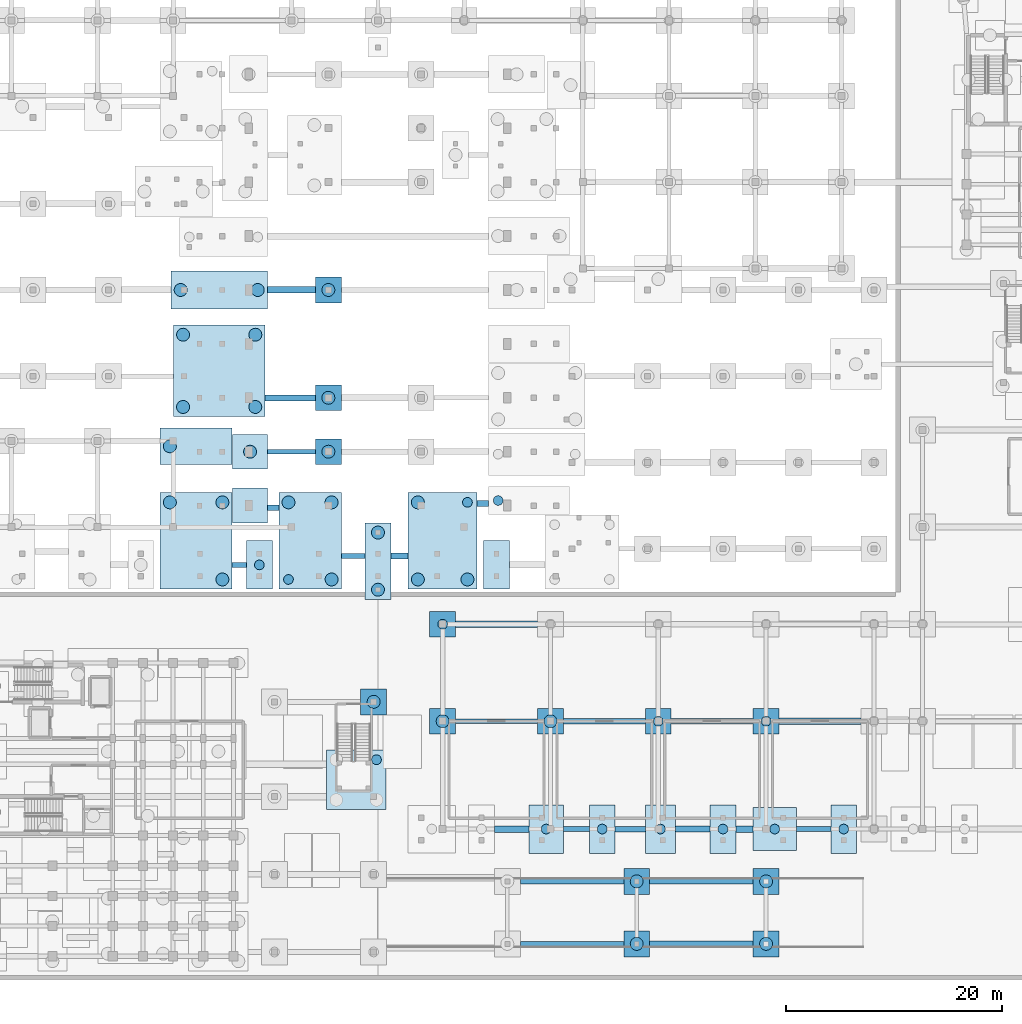
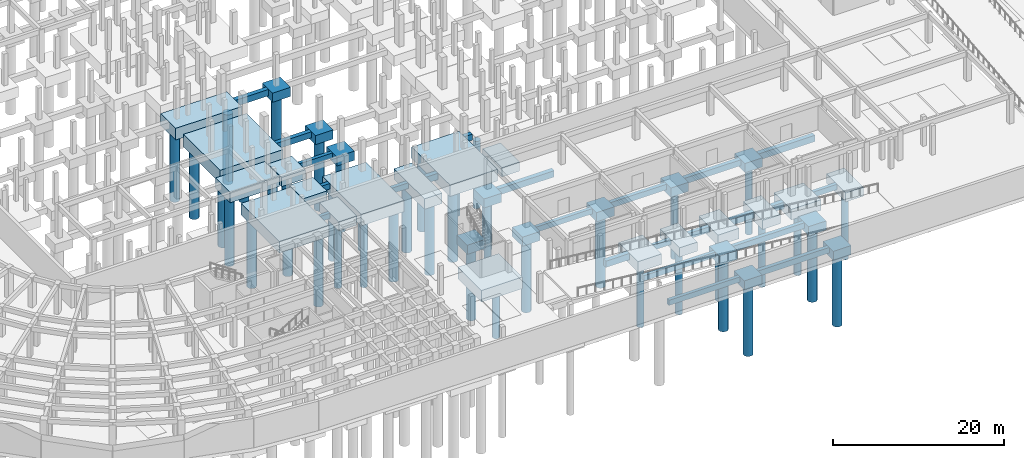
# One storey, part 4 of 53: 54 footings, 43 piles.
"""IFC4 building model written with IfcOpenShell, lengths in metres."""

from ifc_helpers import new_model, si_unit, direction, frame, origin, origin_2d, place, context, subcontext, project, spatial, rectangle, circle, extrude, material, material_profile, profile_set, type_object, element, save


model = new_model("IFC4")

# Units and contexts
model_context = context("Model", 3, precision=1e-05, world=origin(), true_north=direction((0.0, 1.0)))
body_context = subcontext(model_context, "Body", "Model", "MODEL_VIEW")
ifc_project = project(units=[si_unit("LENGTHUNIT", "METRE"), si_unit("AREAUNIT", "SQUARE_METRE"), si_unit("VOLUMEUNIT", "CUBIC_METRE"), si_unit("PLANEANGLEUNIT", "RADIAN"), si_unit("MASSUNIT", "GRAM", prefix="KILO")], contexts=[model_context])

# Site, building, storey
site_placement = place(None, origin())
site = spatial("IfcSite", under=ifc_project, at=site_placement, CompositionType="ELEMENT")
building_placement = place(site_placement, origin())
building = spatial("IfcBuilding", under=site, at=building_placement, Name="Kiranvali Square Residences", CompositionType="ELEMENT")
storey_placement = place(building_placement, frame((0.0, 0.0, -4.5)))
storey = spatial("IfcBuildingStorey", under=building, at=storey_placement, Name="B1", CompositionType="ELEMENT", Elevation=-4.5)

# Footings
ifc_material = material(Name="Concrete M40 (40 MPa)", Category="concrete")
footing_type_1 = type_object("IfcFootingType", Name="FTG-PILE_CAP-240x240x130", PredefinedType="PILE_CAP", material=ifc_material)
for number, where, z_axis, x_axis, name in (
    (1, (108.0, 3.35009765625, -1.7998046875), (0.0, 0.0, 1.0), (1.0, 0.0, 0.0), "B1 pile cap 009"),
    (2, (120.0, 3.35009765625, -1.7998046875), (0.0, 0.0, 1.0), (1.0, 0.0, 0.0), "B1 pile cap 010"),
    (3, (108.0, 9.14990234375, -1.7998046875), (0.0, 0.0, 1.0), (1.0, 0.0, 0.0), "B1 pile cap 018"),
    (4, (120.0, 9.14990234375, -1.7998046875), (0.0, 0.0, 1.0), (1.0, 0.0, 0.0), "B1 pile cap 019"),
    (5, (90.0, 24.0, -1.7998046875), (0.0, 0.0, 1.0), (1.0, 0.0, 0.0), "B1 pile cap 053"),
    (6, (100.0, 24.0, -1.7998046875), (0.0, 0.0, 1.0), (1.0, 0.0, 0.0), "B1 pile cap 054"),
    (7, (110.0, 24.0, -1.7998046875), (0.0, 0.0, 1.0), (1.0, 0.0, 0.0), "B1 pile cap 055"),
    (8, (120.0, 24.0, -1.7998046875), (0.0, 0.0, 1.0), (1.0, 0.0, 0.0), "B1 pile cap 056"),
    (9, (83.60009765625, 25.800048828125, -1.7998046875), (0.0, 0.0, 1.0), (1.0, 0.0, 0.0), "B1 pile cap 063"),
    (10, (90.0, 33.0, -1.7998046875), (0.0, 0.0, 1.0), (1.0, 0.0, 0.0), "B1 pile cap 075"),
    (11, (79.39990234375, 49.0, -1.7998046875), (0.0, 0.0, 1.0), (1.0, 0.0, 0.0), "B1 pile cap 120"),
    (12, (79.39990234375, 54.0, -1.7998046875), (0.0, 0.0, 1.0), (1.0, 0.0, 0.0), "B1 pile cap 134"),
    (13, (79.39990234375, 64.0, -1.7998046875), (0.0, 0.0, 1.0), (1.0, 0.0, 0.0), "B1 pile cap 159"),
):
    element("IfcFooting", number, at=place(storey_placement, frame(where, z_axis=z_axis, x_axis=x_axis)), inside=storey, type_object=footing_type_1, Name=name, PredefinedType="PILE_CAP", context=body_context, shape_type="SweptSolid", body=[
        extrude(rectangle(XDim=2.39990234375, YDim=2.39990234375, at=origin_2d()), origin(), (0.0, 0.0, 1.0), 1.300048828125),
    ])
footing_type_2 = type_object("IfcFootingType", Name="FTG-PILE_CAP-322x322x130", PredefinedType="PILE_CAP", material=ifc_material)
for number, where, z_axis, x_axis, name in (
    (14, (72.139892578125, 44.0, -1.7998046875), (0.0, 0.0, 1.0), (1.0, 0.0, 0.0), "B1 pile cap 106"),
    (15, (72.139892578125, 49.0, -1.7998046875), (0.0, 0.0, 1.0), (1.0, 0.0, 0.0), "B1 pile cap 118"),
):
    element("IfcFooting", number, at=place(storey_placement, frame(where, z_axis=z_axis, x_axis=x_axis)), inside=storey, type_object=footing_type_2, Name=name, PredefinedType="PILE_CAP", context=body_context, shape_type="SweptSolid", body=[
        extrude(rectangle(XDim=3.219970703125, YDim=3.219970703125, at=origin_2d()), origin(), (0.0, 0.0, 1.0), 1.300048828125),
    ])
footing_type_3 = type_object("IfcFootingType", Name="FTG-PILE_CAP-400x400x150", PredefinedType="PILE_CAP", material=ifc_material)
footing_1_placement = place(storey_placement, frame((120.800048828125, 14.0, -2.0), z_axis=(0.0, 0.0, 1.0), x_axis=(1.0, 0.0, 0.0)))
element("IfcFooting", 16, at=footing_1_placement, inside=storey, type_object=footing_type_3, Name="B1 pile cap 030", PredefinedType="PILE_CAP", context=body_context, shape_type="SweptSolid", body=[
    extrude(rectangle(XDim=4.0, YDim=4.0, at=origin_2d()), origin(), (0.0, 0.0, 1.0), 1.5),
])
footing_type_4 = type_object("IfcFootingType", Name="FTG-PILE_CAP-450x240x130", PredefinedType="PILE_CAP", material=ifc_material)
for number, where, z_axis, x_axis, name in (
    (17, (104.800048828125, 14.0, -1.7998046875), (0.0, 0.0, 1.0), (0.0, 1.0, 0.0), "B1 pile cap 027"),
    (18, (116.0, 14.0, -1.7998046875), (0.0, 0.0, 1.0), (0.0, 1.0, 0.0), "B1 pile cap 029"),
    (19, (127.199951171875, 14.0, -1.7998046875), (0.0, 0.0, 1.0), (0.0, 1.0, 0.0), "B1 pile cap 031"),
    (20, (73.0, 38.5, -1.7998046875), (0.0, 0.0, 1.0), (0.0, 1.0, 0.0), "B1 pile cap 090"),
    (21, (95.0, 38.5, -1.7998046875), (0.0, 0.0, 1.0), (0.0, 1.0, 0.0), "B1 pile cap 093"),
):
    element("IfcFooting", number, at=place(storey_placement, frame(where, z_axis=z_axis, x_axis=x_axis)), inside=storey, type_object=footing_type_4, Name=name, PredefinedType="PILE_CAP", context=body_context, shape_type="SweptSolid", body=[
        extrude(rectangle(XDim=4.5, YDim=2.39990234375, at=origin_2d()), origin(), (0.0, 0.0, 1.0), 1.300048828125),
    ])
footing_type_5 = type_object("IfcFootingType", Name="FTG-PILE_CAP-450x280x150", PredefinedType="PILE_CAP", material=ifc_material)
footing_2_placement = place(storey_placement, frame((110.199951171875, 14.0, -2.0), z_axis=(0.0, 0.0, 1.0), x_axis=(0.0, 1.0, 0.0)))
element("IfcFooting", 22, at=footing_2_placement, inside=storey, type_object=footing_type_5, Name="B1 pile cap 028", PredefinedType="PILE_CAP", context=body_context, shape_type="SweptSolid", body=[
    extrude(rectangle(XDim=4.5, YDim=2.800048828125, at=origin_2d()), origin(), (0.0, 0.0, 1.0), 1.5),
])
footing_type_6 = type_object("IfcFootingType", Name="FTG-PILE_CAP-450x320x150", PredefinedType="PILE_CAP", material=ifc_material)
footing_3_placement = place(storey_placement, frame((99.60009765625, 14.0, -2.0), z_axis=(0.0, 0.0, 1.0), x_axis=(0.0, 1.0, 0.0)))
element("IfcFooting", 23, at=footing_3_placement, inside=storey, type_object=footing_type_6, Name="B1 pile cap 026", PredefinedType="PILE_CAP", context=body_context, shape_type="SweptSolid", body=[
    extrude(rectangle(XDim=4.5, YDim=3.199951171875, at=origin_2d()), origin(), (0.0, 0.0, 1.0), 1.5),
])
footing_type_7 = type_object("IfcFootingType", Name="FTG-PILE_CAP-553x553x165", PredefinedType="PILE_CAP", material=ifc_material)
footing_4_placement = place(storey_placement, frame((82.0, 18.56494140625, -2.14990234375), z_axis=(0.0, 0.0, 1.0), x_axis=(1.0, 0.0, 0.0)))
element("IfcFooting", 24, at=footing_4_placement, inside=storey, type_object=footing_type_7, Name="B1 pile cap 042", PredefinedType="PILE_CAP", context=body_context, shape_type="SweptSolid", body=[
    extrude(rectangle(XDim=5.530029296875, YDim=5.530029296875, at=origin_2d()), origin(), (0.0, 0.0, 1.0), 1.64990234375),
])
footing_type_8 = type_object("IfcFootingType", Name="FTG-PILE_CAP-667x340x150", PredefinedType="PILE_CAP", material=ifc_material)
footing_5_placement = place(storey_placement, frame((67.135009765625, 49.5, -2.0), z_axis=(0.0, 0.0, 1.0), x_axis=(1.0, 0.0, 0.0)))
element("IfcFooting", 25, at=footing_5_placement, inside=storey, type_object=footing_type_8, Name="B1 pile cap 119", PredefinedType="PILE_CAP", context=body_context, shape_type="SweptSolid", body=[
    extrude(rectangle(XDim=6.669921875, YDim=3.39990234375, at=origin_2d()), origin(), (0.0, 0.0, 1.0), 1.5),
])
footing_type_9 = type_object("IfcFootingType", Name="FTG-PILE_CAP-710x240x150", PredefinedType="PILE_CAP", material=ifc_material)
footing_6_placement = place(storey_placement, frame((84.0, 38.85009765625, -2.0), z_axis=(0.0, 0.0, 1.0), x_axis=(0.0, 1.0, 0.0)))
element("IfcFooting", 26, at=footing_6_placement, inside=storey, type_object=footing_type_9, Name="B1 pile cap 083", PredefinedType="PILE_CAP", context=body_context, shape_type="SweptSolid", body=[
    extrude(rectangle(XDim=7.10009765625, YDim=2.39990234375, at=origin_2d()), origin(), (0.0, 0.0, 1.0), 1.5),
])
footing_type_10 = type_object("IfcFootingType", Name="FTG-PILE_CAP-850x850x180", PredefinedType="PILE_CAP", material=ifc_material)
footing_7_placement = place(storey_placement, frame((69.27490234375, 56.5, -2.2998046875), z_axis=(0.0, 0.0, 1.0), x_axis=(1.0, 0.0, 0.0)))
element("IfcFooting", 27, at=footing_7_placement, inside=storey, type_object=footing_type_10, Name="B1 pile cap 133", PredefinedType="PILE_CAP", context=body_context, shape_type="SweptSolid", body=[
    extrude(rectangle(XDim=8.5, YDim=8.5, at=origin_2d()), origin(), (0.0, 0.0, 1.0), 1.800048828125),
])
footing_type_11 = type_object("IfcFootingType", Name="FTG-PILE_CAP-895x350x165", PredefinedType="PILE_CAP", material=ifc_material)
footing_8_placement = place(storey_placement, frame((69.27490234375, 64.0, -2.14990234375), z_axis=(0.0, 0.0, 1.0), x_axis=(1.0, 0.0, 0.0)))
element("IfcFooting", 28, at=footing_8_placement, inside=storey, type_object=footing_type_11, Name="B1 pile cap 153", PredefinedType="PILE_CAP", context=body_context, shape_type="SweptSolid", body=[
    extrude(rectangle(XDim=8.949951171875, YDim=3.5, at=origin_2d()), origin(), (0.0, 0.0, 1.0), 1.64990234375),
])
footing_type_12 = type_object("IfcFootingType", Name="FTG-PILE_CAP-895x580x165", PredefinedType="PILE_CAP", material=ifc_material)
footing_9_placement = place(storey_placement, frame((77.699951171875, 40.72509765625, -2.14990234375), z_axis=(0.0, 0.0, 1.0), x_axis=(0.0, 1.0, 0.0)))
element("IfcFooting", 29, at=footing_9_placement, inside=storey, type_object=footing_type_12, Name="B1 pile cap 091", PredefinedType="PILE_CAP", context=body_context, shape_type="SweptSolid", body=[
    extrude(rectangle(XDim=8.949951171875, YDim=5.800048828125, at=origin_2d()), origin(), (0.0, 0.0, 1.0), 1.64990234375),
])
footing_type_13 = type_object("IfcFootingType", Name="FTG-PILE_CAP-895x640x165", PredefinedType="PILE_CAP", material=ifc_material)
footing_10_placement = place(storey_placement, frame((90.0, 40.72509765625, -2.14990234375), z_axis=(0.0, 0.0, 1.0), x_axis=(0.0, 1.0, 0.0)))
element("IfcFooting", 30, at=footing_10_placement, inside=storey, type_object=footing_type_13, Name="B1 pile cap 092", PredefinedType="PILE_CAP", context=body_context, shape_type="SweptSolid", body=[
    extrude(rectangle(XDim=8.949951171875, YDim=6.39990234375, at=origin_2d()), origin(), (0.0, 0.0, 1.0), 1.64990234375),
])
footing_type_14 = type_object("IfcFootingType", Name="FTG-PILE_CAP-895x667x165", PredefinedType="PILE_CAP", material=ifc_material)
footing_11_placement = place(storey_placement, frame((67.135009765625, 40.72509765625, -2.14990234375), z_axis=(0.0, 0.0, 1.0), x_axis=(0.0, 1.0, 0.0)))
element("IfcFooting", 31, at=footing_11_placement, inside=storey, type_object=footing_type_14, Name="B1 pile cap 089", PredefinedType="PILE_CAP", context=body_context, shape_type="SweptSolid", body=[
    extrude(rectangle(XDim=8.949951171875, YDim=6.669921875, at=origin_2d()), origin(), (0.0, 0.0, 1.0), 1.64990234375),
])
ifc_material_profile_1 = material_profile(ifc_material, rectangle(XDim=0.449951171875, YDim=0.75, at=origin_2d()), Name="GB 450x750")
ifc_profile_set_1 = profile_set([ifc_material_profile_1], Name="Concrete M40 (40 MPa)")
footing_type_15 = type_object("IfcFootingType", Name="GB-M40-450x750", PredefinedType="FOOTING_BEAM", material=ifc_profile_set_1)
for number, where, z_axis, x_axis, name in (
    (32, (97.199951171875, 3.35009765625, -0.875), (1.0, 0.0, 0.0), (0.0, 1.0, 0.0), "Continuous foundation ground beam GB-008"),
    (33, (97.199951171875, 9.14990234375, -0.875), (1.0, 0.0, 0.0), (0.0, 1.0, 0.0), "Continuous foundation ground beam GB-016"),
):
    element("IfcFooting", number, at=place(storey_placement, frame(where, z_axis=z_axis, x_axis=x_axis)), inside=storey, type_object=footing_type_15, Name=name, PredefinedType="FOOTING_BEAM", context=body_context, shape_type="SweptSolid", body=[
        extrude(rectangle(XDim=0.449951171875, YDim=0.75, at=origin_2d()), origin(), (0.0, 0.0, 1.0), 9.60009765625),
    ])
footing_12_placement = place(storey_placement, frame((101.199951171875, 14.0, -0.875), z_axis=(1.0, 0.0, 0.0), x_axis=(0.0, 1.0, 0.0)))
element("IfcFooting", 34, at=footing_12_placement, inside=storey, type_object=footing_type_15, Name="Continuous foundation ground beam GB-024", PredefinedType="FOOTING_BEAM", context=body_context, shape_type="SweptSolid", body=[
    extrude(rectangle(XDim=0.449951171875, YDim=0.75, at=origin_2d()), origin(), (0.0, 0.0, 1.0), 2.400146484375),
])
footing_13_placement = place(storey_placement, frame((122.800048828125, 14.0, -0.875), z_axis=(1.0, 0.0, 0.0), x_axis=(0.0, 1.0, 0.0)))
element("IfcFooting", 35, at=footing_13_placement, inside=storey, type_object=footing_type_15, Name="Continuous foundation ground beam GB-028", PredefinedType="FOOTING_BEAM", context=body_context, shape_type="SweptSolid", body=[
    extrude(rectangle(XDim=0.449951171875, YDim=0.75, at=origin_2d()), origin(), (0.0, 0.0, 1.0), 3.199951171875),
])
footing_14_placement = place(storey_placement, frame((91.199951171875, 24.0, -0.875), z_axis=(1.0, 0.0, 0.0), x_axis=(0.0, 1.0, 0.0)))
element("IfcFooting", 36, at=footing_14_placement, inside=storey, type_object=footing_type_15, Name="Continuous foundation ground beam GB-044", PredefinedType="FOOTING_BEAM", context=body_context, shape_type="SweptSolid", body=[
    extrude(rectangle(XDim=0.449951171875, YDim=0.75, at=origin_2d()), origin(), (0.0, 0.0, 1.0), 7.60009765625),
])
footing_15_placement = place(storey_placement, frame((70.469970703125, 38.5, -0.875), z_axis=(1.0, 0.0, 0.0), x_axis=(0.0, 1.0, 0.0)))
element("IfcFooting", 37, at=footing_15_placement, inside=storey, type_object=footing_type_15, Name="Continuous foundation ground beam GB-072", PredefinedType="FOOTING_BEAM", context=body_context, shape_type="SweptSolid", body=[
    extrude(rectangle(XDim=0.449951171875, YDim=0.75, at=origin_2d()), origin(), (0.0, 0.0, 1.0), 1.330078125),
])
footing_16_placement = place(storey_placement, frame((73.75, 49.0, -0.875), z_axis=(1.0, 0.0, 0.0), x_axis=(0.0, 1.0, 0.0)))
element("IfcFooting", 38, at=footing_16_placement, inside=storey, type_object=footing_type_15, Name="Continuous foundation ground beam GB-092", PredefinedType="FOOTING_BEAM", context=body_context, shape_type="SweptSolid", body=[
    extrude(rectangle(XDim=0.449951171875, YDim=0.75, at=origin_2d()), origin(), (0.0, 0.0, 1.0), 4.449951171875),
])
ifc_material_profile_2 = material_profile(ifc_material, rectangle(XDim=0.5, YDim=0.800048828125, at=origin_2d()), Name="GB 500x800")
ifc_profile_set_2 = profile_set([ifc_material_profile_2], Name="Concrete M40 (40 MPa)")
footing_type_16 = type_object("IfcFootingType", Name="GB-M40-500x800", PredefinedType="FOOTING_BEAM", material=ifc_profile_set_2)
for number, where, z_axis, x_axis, name in (
    (39, (109.199951171875, 3.35009765625, -0.89990234375), (1.0, 0.0, 0.0), (0.0, 1.0, 0.0), "Continuous foundation ground beam GB-009"),
    (40, (109.199951171875, 9.14990234375, -0.89990234375), (1.0, 0.0, 0.0), (0.0, 1.0, 0.0), "Continuous foundation ground beam GB-017"),
):
    element("IfcFooting", number, at=place(storey_placement, frame(where, z_axis=z_axis, x_axis=x_axis)), inside=storey, type_object=footing_type_16, Name=name, PredefinedType="FOOTING_BEAM", context=body_context, shape_type="SweptSolid", body=[
        extrude(rectangle(XDim=0.5, YDim=0.800048828125, at=origin_2d()), origin(), (0.0, 0.0, 1.0), 9.60009765625),
    ])
footing_17_placement = place(storey_placement, frame((106.0, 14.0, -0.89990234375), z_axis=(1.0, 0.0, 0.0), x_axis=(0.0, 1.0, 0.0)))
element("IfcFooting", 41, at=footing_17_placement, inside=storey, type_object=footing_type_16, Name="Continuous foundation ground beam GB-025", PredefinedType="FOOTING_BEAM", context=body_context, shape_type="SweptSolid", body=[
    extrude(rectangle(XDim=0.5, YDim=0.800048828125, at=origin_2d()), origin(), (0.0, 0.0, 1.0), 2.800048828125),
])
footing_18_placement = place(storey_placement, frame((101.199951171875, 24.0, -0.89990234375), z_axis=(1.0, 0.0, 0.0), x_axis=(0.0, 1.0, 0.0)))
element("IfcFooting", 42, at=footing_18_placement, inside=storey, type_object=footing_type_16, Name="Continuous foundation ground beam GB-045", PredefinedType="FOOTING_BEAM", context=body_context, shape_type="SweptSolid", body=[
    extrude(rectangle(XDim=0.5, YDim=0.800048828125, at=origin_2d()), origin(), (0.0, 0.0, 1.0), 7.60009765625),
])
footing_19_placement = place(storey_placement, frame((80.60009765625, 39.324951171875, -0.89990234375), z_axis=(1.0, 0.0, 0.0), x_axis=(0.0, 1.0, 0.0)))
element("IfcFooting", 43, at=footing_19_placement, inside=storey, type_object=footing_type_16, Name="Continuous foundation ground beam GB-073", PredefinedType="FOOTING_BEAM", context=body_context, shape_type="SweptSolid", body=[
    extrude(rectangle(XDim=0.5, YDim=0.800048828125, at=origin_2d()), origin(), (0.0, 0.0, 1.0), 2.199951171875),
])
footing_20_placement = place(storey_placement, frame((73.75, 43.794921875, -0.89990234375), z_axis=(1.0, 0.0, 0.0), x_axis=(0.0, 1.0, 0.0)))
element("IfcFooting", 44, at=footing_20_placement, inside=storey, type_object=footing_type_16, Name="Continuous foundation ground beam GB-085", PredefinedType="FOOTING_BEAM", context=body_context, shape_type="SweptSolid", body=[
    extrude(rectangle(XDim=0.5, YDim=0.800048828125, at=origin_2d()), origin(), (0.0, 0.0, 1.0), 1.050048828125),
])
ifc_material_profile_3 = material_profile(ifc_material, rectangle(XDim=0.550048828125, YDim=0.85009765625, at=origin_2d()), Name="GB 550x850")
ifc_profile_set_3 = profile_set([ifc_material_profile_3], Name="Concrete M40 (40 MPa)")
footing_type_17 = type_object("IfcFootingType", Name="GB-M40-550x850", PredefinedType="FOOTING_BEAM", material=ifc_profile_set_3)
footing_21_placement = place(storey_placement, frame((111.60009765625, 14.0, -0.925048828125), z_axis=(1.0, 0.0, 0.0), x_axis=(0.0, 1.0, 0.0)))
element("IfcFooting", 45, at=footing_21_placement, inside=storey, type_object=footing_type_17, Name="Continuous foundation ground beam GB-026", PredefinedType="FOOTING_BEAM", context=body_context, shape_type="SweptSolid", body=[
    extrude(rectangle(XDim=0.550048828125, YDim=0.85009765625, at=origin_2d()), origin(), (0.0, 0.0, 1.0), 3.199951171875),
])
footing_22_placement = place(storey_placement, frame((111.199951171875, 24.0, -0.925048828125), z_axis=(1.0, 0.0, 0.0), x_axis=(0.0, 1.0, 0.0)))
element("IfcFooting", 46, at=footing_22_placement, inside=storey, type_object=footing_type_17, Name="Continuous foundation ground beam GB-046", PredefinedType="FOOTING_BEAM", context=body_context, shape_type="SweptSolid", body=[
    extrude(rectangle(XDim=0.550048828125, YDim=0.85009765625, at=origin_2d()), origin(), (0.0, 0.0, 1.0), 7.60009765625),
])
footing_23_placement = place(storey_placement, frame((93.199951171875, 44.197509765625, -0.925048828125), z_axis=(1.0, 0.0, 0.0), x_axis=(0.0, 1.0, 0.0)))
element("IfcFooting", 47, at=footing_23_placement, inside=storey, type_object=footing_type_17, Name="Continuous foundation ground beam GB-074", PredefinedType="FOOTING_BEAM", context=body_context, shape_type="SweptSolid", body=[
    extrude(rectangle(XDim=0.550048828125, YDim=0.85009765625, at=origin_2d()), origin(), (0.0, 0.0, 1.0), 1.050048828125),
])
footing_24_placement = place(storey_placement, frame((73.52490234375, 54.0, -0.925048828125), z_axis=(1.0, 0.0, 0.0), x_axis=(0.0, 1.0, 0.0)))
element("IfcFooting", 48, at=footing_24_placement, inside=storey, type_object=footing_type_17, Name="Continuous foundation ground beam GB-102", PredefinedType="FOOTING_BEAM", context=body_context, shape_type="SweptSolid", body=[
    extrude(rectangle(XDim=0.550048828125, YDim=0.85009765625, at=origin_2d()), origin(), (0.0, 0.0, 1.0), 4.675048828125),
])
ifc_material_profile_4 = material_profile(ifc_material, rectangle(XDim=0.60009765625, YDim=0.89990234375, at=origin_2d()), Name="GB 600x900")
ifc_profile_set_4 = profile_set([ifc_material_profile_4], Name="Concrete M40 (40 MPa)")
footing_type_18 = type_object("IfcFootingType", Name="GB-M40-600x900", PredefinedType="FOOTING_BEAM", material=ifc_profile_set_4)
footing_25_placement = place(storey_placement, frame((94.800048828125, 14.0, -0.949951171875), z_axis=(1.0, 0.0, 0.0), x_axis=(0.0, 1.0, 0.0)))
element("IfcFooting", 49, at=footing_25_placement, inside=storey, type_object=footing_type_18, Name="Continuous foundation ground beam GB-023", PredefinedType="FOOTING_BEAM", context=body_context, shape_type="SweptSolid", body=[
    extrude(rectangle(XDim=0.60009765625, YDim=0.89990234375, at=origin_2d()), origin(), (0.0, 0.0, 1.0), 3.199951171875),
])
footing_26_placement = place(storey_placement, frame((117.199951171875, 14.0, -0.949951171875), z_axis=(1.0, 0.0, 0.0), x_axis=(0.0, 1.0, 0.0)))
element("IfcFooting", 50, at=footing_26_placement, inside=storey, type_object=footing_type_18, Name="Continuous foundation ground beam GB-027", PredefinedType="FOOTING_BEAM", context=body_context, shape_type="SweptSolid", body=[
    extrude(rectangle(XDim=0.60009765625, YDim=0.89990234375, at=origin_2d()), origin(), (0.0, 0.0, 1.0), 1.60009765625),
])
for number, where, z_axis, x_axis, name in (
    (51, (121.199951171875, 24.0, -0.949951171875), (1.0, 0.0, 0.0), (0.0, 1.0, 0.0), "Continuous foundation ground beam GB-047"),
    (52, (91.199951171875, 33.0, -0.949951171875), (1.0, 0.0, 0.0), (0.0, 1.0, 0.0), "Continuous foundation ground beam GB-059"),
):
    element("IfcFooting", number, at=place(storey_placement, frame(where, z_axis=z_axis, x_axis=x_axis)), inside=storey, type_object=footing_type_18, Name=name, PredefinedType="FOOTING_BEAM", context=body_context, shape_type="SweptSolid", body=[
        extrude(rectangle(XDim=0.60009765625, YDim=0.89990234375, at=origin_2d()), origin(), (0.0, 0.0, 1.0), 7.60009765625),
    ])
footing_27_placement = place(storey_placement, frame((85.199951171875, 39.324951171875, -0.949951171875), z_axis=(1.0, 0.0, 0.0), x_axis=(0.0, 1.0, 0.0)))
element("IfcFooting", 53, at=footing_27_placement, inside=storey, type_object=footing_type_18, Name="Continuous foundation ground beam GB-067", PredefinedType="FOOTING_BEAM", context=body_context, shape_type="SweptSolid", body=[
    extrude(rectangle(XDim=0.60009765625, YDim=0.89990234375, at=origin_2d()), origin(), (0.0, 0.0, 1.0), 1.60009765625),
])
footing_28_placement = place(storey_placement, frame((73.75, 64.0, -0.949951171875), z_axis=(1.0, 0.0, 0.0), x_axis=(0.0, 1.0, 0.0)))
element("IfcFooting", 54, at=footing_28_placement, inside=storey, type_object=footing_type_18, Name="Continuous foundation ground beam GB-119", PredefinedType="FOOTING_BEAM", context=body_context, shape_type="SweptSolid", body=[
    extrude(rectangle(XDim=0.60009765625, YDim=0.89990234375, at=origin_2d()), origin(), (0.0, 0.0, 1.0), 4.449951171875),
])

# Piles
ifc_material_profile_5 = material_profile(ifc_material, circle(Radius=0.60009765625, at=origin_2d()), Name="BORED PILE 1200")
ifc_profile_set_5 = profile_set([ifc_material_profile_5], Name="Concrete M40 (40 MPa)")
pile_type_1 = type_object("IfcPileType", Name="PILE-BORED-1200", PredefinedType="BORED", material=ifc_profile_set_5)
for number, where, z_axis, x_axis, name in (
    (55, (108.0, 3.35009765625, -1.699951171875), (0.0, 0.0, -1.0), (1.0, 0.0, 0.0), "Bored basalt-socketed pile P-0017"),
    (56, (120.0, 3.35009765625, -1.699951171875), (0.0, 0.0, -1.0), (1.0, 0.0, 0.0), "Bored basalt-socketed pile P-0018"),
    (57, (108.0, 9.14990234375, -1.699951171875), (0.0, 0.0, -1.0), (1.0, 0.0, 0.0), "Bored basalt-socketed pile P-0027"),
    (58, (120.0, 9.14990234375, -1.699951171875), (0.0, 0.0, -1.0), (1.0, 0.0, 0.0), "Bored basalt-socketed pile P-0028"),
    (59, (90.0, 24.0, -1.699951171875), (0.0, 0.0, -1.0), (1.0, 0.0, 0.0), "Bored basalt-socketed pile P-0075"),
    (60, (100.0, 24.0, -1.699951171875), (0.0, 0.0, -1.0), (1.0, 0.0, 0.0), "Bored basalt-socketed pile P-0076"),
    (61, (83.60009765625, 25.800048828125, -1.699951171875), (0.0, 0.0, -1.0), (1.0, 0.0, 0.0), "Bored basalt-socketed pile P-0085"),
):
    element("IfcPile", number, at=place(storey_placement, frame(where, z_axis=z_axis, x_axis=x_axis)), inside=storey, type_object=pile_type_1, Name=name, PredefinedType="BORED", context=body_context, shape_type="SweptSolid", body=[
        extrude(circle(Radius=0.60009765625, at=origin_2d()), origin(), (0.0, 0.0, 1.0), 10.300048828125),
    ])
for number, where, z_axis, x_axis, name in (
    (62, (84.0, 36.199951171875, -1.89990234375), (0.0, 0.0, -1.0), (1.0, 0.0, 0.0), "Bored basalt-socketed pile P-0112"),
    (63, (84.0, 41.5, -1.89990234375), (0.0, 0.0, -1.0), (1.0, 0.0, 0.0), "Bored basalt-socketed pile P-0113"),
):
    element("IfcPile", number, at=place(storey_placement, frame(where, z_axis=z_axis, x_axis=x_axis)), inside=storey, type_object=pile_type_1, Name=name, PredefinedType="BORED", context=body_context, shape_type="SweptSolid", body=[
        extrude(circle(Radius=0.60009765625, at=origin_2d()), origin(), (0.0, 0.0, 1.0), 10.10009765625),
    ])
for number, where, z_axis, x_axis, name in (
    (64, (64.699951171875, 44.300048828125, -2.050048828125), (0.0, 0.0, -1.0), (1.0, 0.0, 0.0), "Bored basalt-socketed pile P-0122"),
    (65, (69.570068359375, 37.14990234375, -2.050048828125), (0.0, 0.0, -1.0), (1.0, 0.0, 0.0), "Bored basalt-socketed pile P-0123"),
    (66, (69.570068359375, 44.300048828125, -2.050048828125), (0.0, 0.0, -1.0), (1.0, 0.0, 0.0), "Bored basalt-socketed pile P-0124"),
    (67, (75.699951171875, 44.300048828125, -2.050048828125), (0.0, 0.0, -1.0), (1.0, 0.0, 0.0), "Bored basalt-socketed pile P-0127"),
    (68, (79.699951171875, 37.14990234375, -2.050048828125), (0.0, 0.0, -1.0), (1.0, 0.0, 0.0), "Bored basalt-socketed pile P-0128"),
    (69, (79.699951171875, 44.300048828125, -2.050048828125), (0.0, 0.0, -1.0), (1.0, 0.0, 0.0), "Bored basalt-socketed pile P-0129"),
    (70, (87.699951171875, 37.14990234375, -2.050048828125), (0.0, 0.0, -1.0), (1.0, 0.0, 0.0), "Bored basalt-socketed pile P-0130"),
    (71, (87.699951171875, 44.300048828125, -2.050048828125), (0.0, 0.0, -1.0), (1.0, 0.0, 0.0), "Bored basalt-socketed pile P-0131"),
    (72, (92.300048828125, 37.14990234375, -2.050048828125), (0.0, 0.0, -1.0), (1.0, 0.0, 0.0), "Bored basalt-socketed pile P-0132"),
):
    element("IfcPile", number, at=place(storey_placement, frame(where, z_axis=z_axis, x_axis=x_axis)), inside=storey, type_object=pile_type_1, Name=name, PredefinedType="BORED", context=body_context, shape_type="SweptSolid", body=[
        extrude(circle(Radius=0.60009765625, at=origin_2d()), origin(), (0.0, 0.0, 1.0), 9.949951171875),
    ])
pile_1_placement = place(storey_placement, frame((72.139892578125, 49.0, -1.699951171875), z_axis=(0.0, 0.0, -1.0), x_axis=(1.0, 0.0, 0.0)))
element("IfcPile", 73, at=pile_1_placement, inside=storey, type_object=pile_type_1, Name="Bored basalt-socketed pile P-0162", PredefinedType="BORED", context=body_context, shape_type="SweptSolid", body=[
    extrude(circle(Radius=0.60009765625, at=origin_2d()), origin(), (0.0, 0.0, 1.0), 10.300048828125),
])
pile_2_placement = place(storey_placement, frame((64.699951171875, 49.5, -1.89990234375), z_axis=(0.0, 0.0, -1.0), x_axis=(1.0, 0.0, 0.0)))
element("IfcPile", 74, at=pile_2_placement, inside=storey, type_object=pile_type_1, Name="Bored basalt-socketed pile P-0163", PredefinedType="BORED", context=body_context, shape_type="SweptSolid", body=[
    extrude(circle(Radius=0.60009765625, at=origin_2d()), origin(), (0.0, 0.0, 1.0), 10.10009765625),
])
pile_3_placement = place(storey_placement, frame((79.39990234375, 49.0, -1.699951171875), z_axis=(0.0, 0.0, -1.0), x_axis=(1.0, 0.0, 0.0)))
element("IfcPile", 75, at=pile_3_placement, inside=storey, type_object=pile_type_1, Name="Bored basalt-socketed pile P-0164", PredefinedType="BORED", context=body_context, shape_type="SweptSolid", body=[
    extrude(circle(Radius=0.60009765625, at=origin_2d()), origin(), (0.0, 0.0, 1.0), 10.300048828125),
])
for number, where, z_axis, x_axis, name in (
    (76, (65.925048828125, 53.14990234375, -2.199951171875), (0.0, 0.0, -1.0), (1.0, 0.0, 0.0), "Bored basalt-socketed pile P-0181"),
    (77, (65.925048828125, 59.85009765625, -2.199951171875), (0.0, 0.0, -1.0), (1.0, 0.0, 0.0), "Bored basalt-socketed pile P-0182"),
    (78, (72.625, 53.14990234375, -2.199951171875), (0.0, 0.0, -1.0), (1.0, 0.0, 0.0), "Bored basalt-socketed pile P-0183"),
    (79, (72.625, 59.85009765625, -2.199951171875), (0.0, 0.0, -1.0), (1.0, 0.0, 0.0), "Bored basalt-socketed pile P-0184"),
):
    element("IfcPile", number, at=place(storey_placement, frame(where, z_axis=z_axis, x_axis=x_axis)), inside=storey, type_object=pile_type_1, Name=name, PredefinedType="BORED", context=body_context, shape_type="SweptSolid", body=[
        extrude(circle(Radius=0.60009765625, at=origin_2d()), origin(), (0.0, 0.0, 1.0), 9.800048828125),
    ])
pile_4_placement = place(storey_placement, frame((79.39990234375, 54.0, -1.699951171875), z_axis=(0.0, 0.0, -1.0), x_axis=(1.0, 0.0, 0.0)))
element("IfcPile", 80, at=pile_4_placement, inside=storey, type_object=pile_type_1, Name="Bored basalt-socketed pile P-0185", PredefinedType="BORED", context=body_context, shape_type="SweptSolid", body=[
    extrude(circle(Radius=0.60009765625, at=origin_2d()), origin(), (0.0, 0.0, 1.0), 10.300048828125),
])
for number, where, z_axis, x_axis, name in (
    (81, (65.699951171875, 64.0, -2.050048828125), (0.0, 0.0, -1.0), (1.0, 0.0, 0.0), "Bored basalt-socketed pile P-0212"),
    (82, (72.85009765625, 64.0, -2.050048828125), (0.0, 0.0, -1.0), (1.0, 0.0, 0.0), "Bored basalt-socketed pile P-0213"),
):
    element("IfcPile", number, at=place(storey_placement, frame(where, z_axis=z_axis, x_axis=x_axis)), inside=storey, type_object=pile_type_1, Name=name, PredefinedType="BORED", context=body_context, shape_type="SweptSolid", body=[
        extrude(circle(Radius=0.60009765625, at=origin_2d()), origin(), (0.0, 0.0, 1.0), 9.949951171875),
    ])
pile_5_placement = place(storey_placement, frame((79.39990234375, 64.0, -1.699951171875), z_axis=(0.0, 0.0, -1.0), x_axis=(1.0, 0.0, 0.0)))
element("IfcPile", 83, at=pile_5_placement, inside=storey, type_object=pile_type_1, Name="Bored basalt-socketed pile P-0219", PredefinedType="BORED", context=body_context, shape_type="SweptSolid", body=[
    extrude(circle(Radius=0.60009765625, at=origin_2d()), origin(), (0.0, 0.0, 1.0), 10.300048828125),
])
ifc_material_profile_6 = material_profile(ifc_material, circle(Radius=0.449951171875, at=origin_2d()), Name="BORED PILE 900")
ifc_profile_set_6 = profile_set([ifc_material_profile_6], Name="Concrete M40 (40 MPa)")
pile_type_2 = type_object("IfcPileType", Name="PILE-BORED-900", PredefinedType="BORED", material=ifc_profile_set_6)
pile_6_placement = place(storey_placement, frame((99.60009765625, 14.0, -1.89990234375), z_axis=(0.0, 0.0, -1.0), x_axis=(1.0, 0.0, 0.0)))
element("IfcPile", 84, at=pile_6_placement, inside=storey, type_object=pile_type_2, Name="Bored basalt-socketed pile P-0037", PredefinedType="BORED", context=body_context, shape_type="SweptSolid", body=[
    extrude(circle(Radius=0.449951171875, at=origin_2d()), origin(), (0.0, 0.0, 1.0), 9.60009765625),
])
pile_7_placement = place(storey_placement, frame((104.800048828125, 14.0, -1.699951171875), z_axis=(0.0, 0.0, -1.0), x_axis=(1.0, 0.0, 0.0)))
element("IfcPile", 85, at=pile_7_placement, inside=storey, type_object=pile_type_2, Name="Bored basalt-socketed pile P-0038", PredefinedType="BORED", context=body_context, shape_type="SweptSolid", body=[
    extrude(circle(Radius=0.449951171875, at=origin_2d()), origin(), (0.0, 0.0, 1.0), 9.800048828125),
])
pile_8_placement = place(storey_placement, frame((110.199951171875, 14.0, -1.89990234375), z_axis=(0.0, 0.0, -1.0), x_axis=(1.0, 0.0, 0.0)))
element("IfcPile", 86, at=pile_8_placement, inside=storey, type_object=pile_type_2, Name="Bored basalt-socketed pile P-0039", PredefinedType="BORED", context=body_context, shape_type="SweptSolid", body=[
    extrude(circle(Radius=0.449951171875, at=origin_2d()), origin(), (0.0, 0.0, 1.0), 9.60009765625),
])
pile_9_placement = place(storey_placement, frame((116.0, 14.0, -1.699951171875), z_axis=(0.0, 0.0, -1.0), x_axis=(1.0, 0.0, 0.0)))
element("IfcPile", 87, at=pile_9_placement, inside=storey, type_object=pile_type_2, Name="Bored basalt-socketed pile P-0040", PredefinedType="BORED", context=body_context, shape_type="SweptSolid", body=[
    extrude(circle(Radius=0.449951171875, at=origin_2d()), origin(), (0.0, 0.0, 1.0), 9.800048828125),
])
pile_10_placement = place(storey_placement, frame((120.800048828125, 14.0, -1.89990234375), z_axis=(0.0, 0.0, -1.0), x_axis=(1.0, 0.0, 0.0)))
element("IfcPile", 88, at=pile_10_placement, inside=storey, type_object=pile_type_2, Name="Bored basalt-socketed pile P-0041", PredefinedType="BORED", context=body_context, shape_type="SweptSolid", body=[
    extrude(circle(Radius=0.449951171875, at=origin_2d()), origin(), (0.0, 0.0, 1.0), 9.60009765625),
])
pile_11_placement = place(storey_placement, frame((127.199951171875, 14.0, -1.699951171875), z_axis=(0.0, 0.0, -1.0), x_axis=(1.0, 0.0, 0.0)))
element("IfcPile", 89, at=pile_11_placement, inside=storey, type_object=pile_type_2, Name="Bored basalt-socketed pile P-0042", PredefinedType="BORED", context=body_context, shape_type="SweptSolid", body=[
    extrude(circle(Radius=0.449951171875, at=origin_2d()), origin(), (0.0, 0.0, 1.0), 9.800048828125),
])
pile_12_placement = place(storey_placement, frame((83.864990234375, 20.429931640625, -2.050048828125), z_axis=(0.0, 0.0, -1.0), x_axis=(1.0, 0.0, 0.0)))
element("IfcPile", 90, at=pile_12_placement, inside=storey, type_object=pile_type_2, Name="Bored basalt-socketed pile P-0059", PredefinedType="BORED", context=body_context, shape_type="SweptSolid", body=[
    extrude(circle(Radius=0.449951171875, at=origin_2d()), origin(), (0.0, 0.0, 1.0), 9.449951171875),
])
for number, where, z_axis, x_axis, name in (
    (91, (110.0, 24.0, -1.699951171875), (0.0, 0.0, -1.0), (1.0, 0.0, 0.0), "Bored basalt-socketed pile P-0077"),
    (92, (120.0, 24.0, -1.699951171875), (0.0, 0.0, -1.0), (1.0, 0.0, 0.0), "Bored basalt-socketed pile P-0078"),
    (93, (90.0, 33.0, -1.699951171875), (0.0, 0.0, -1.0), (1.0, 0.0, 0.0), "Bored basalt-socketed pile P-0102"),
    (94, (73.0, 38.5, -1.699951171875), (0.0, 0.0, -1.0), (1.0, 0.0, 0.0), "Bored basalt-socketed pile P-0125"),
):
    element("IfcPile", number, at=place(storey_placement, frame(where, z_axis=z_axis, x_axis=x_axis)), inside=storey, type_object=pile_type_2, Name=name, PredefinedType="BORED", context=body_context, shape_type="SweptSolid", body=[
        extrude(circle(Radius=0.449951171875, at=origin_2d()), origin(), (0.0, 0.0, 1.0), 9.800048828125),
    ])
for number, where, z_axis, x_axis, name in (
    (95, (75.699951171875, 37.14990234375, -2.050048828125), (0.0, 0.0, -1.0), (1.0, 0.0, 0.0), "Bored basalt-socketed pile P-0126"),
    (96, (92.300048828125, 44.300048828125, -2.050048828125), (0.0, 0.0, -1.0), (1.0, 0.0, 0.0), "Bored basalt-socketed pile P-0133"),
):
    element("IfcPile", number, at=place(storey_placement, frame(where, z_axis=z_axis, x_axis=x_axis)), inside=storey, type_object=pile_type_2, Name=name, PredefinedType="BORED", context=body_context, shape_type="SweptSolid", body=[
        extrude(circle(Radius=0.449951171875, at=origin_2d()), origin(), (0.0, 0.0, 1.0), 9.449951171875),
    ])
pile_13_placement = place(storey_placement, frame((95.14990234375, 44.472412109375, -1.89990234375), z_axis=(0.0, 0.0, -1.0), x_axis=(1.0, 0.0, 0.0)))
element("IfcPile", 97, at=pile_13_placement, inside=storey, type_object=pile_type_2, Name="Bored basalt-socketed pile P-0150", PredefinedType="BORED", context=body_context, shape_type="SweptSolid", body=[
    extrude(circle(Radius=0.449951171875, at=origin_2d()), origin(), (0.0, 0.0, 1.0), 9.60009765625),
])

save(model, "model.ifc")
